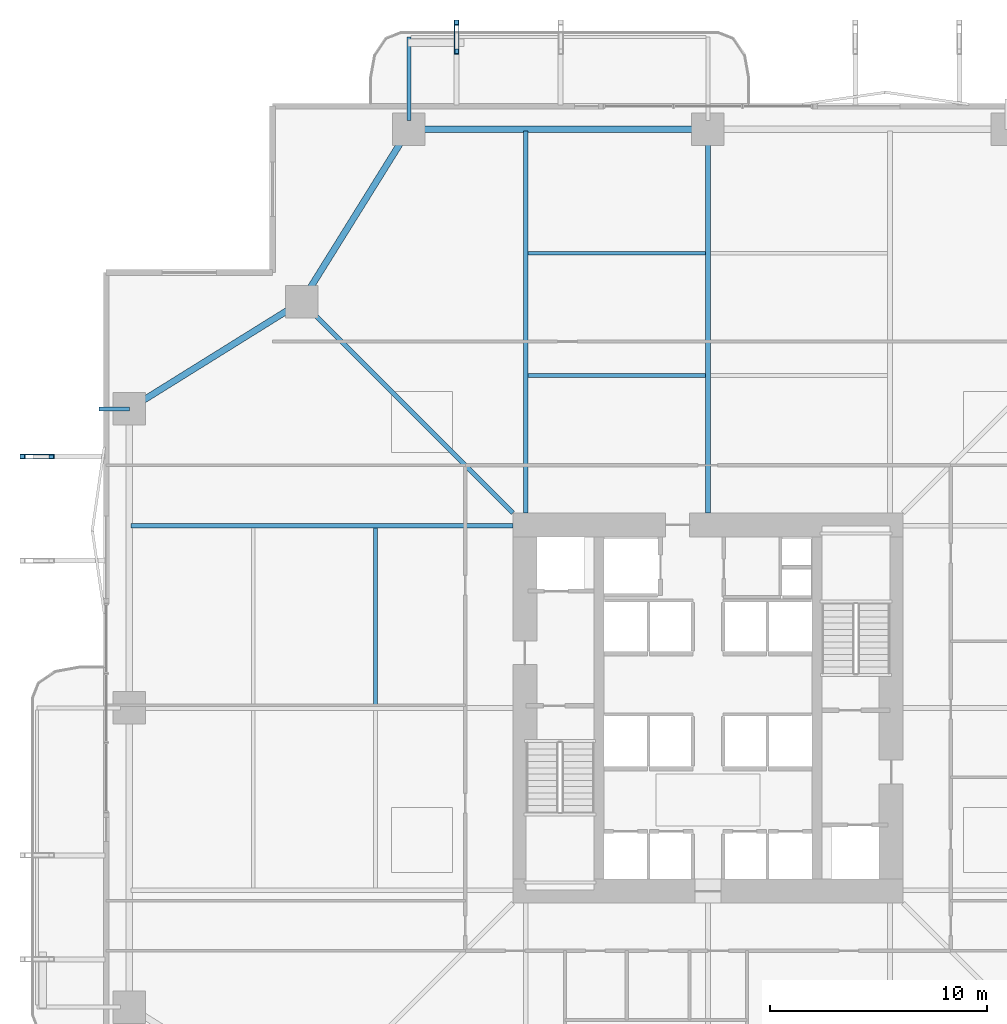
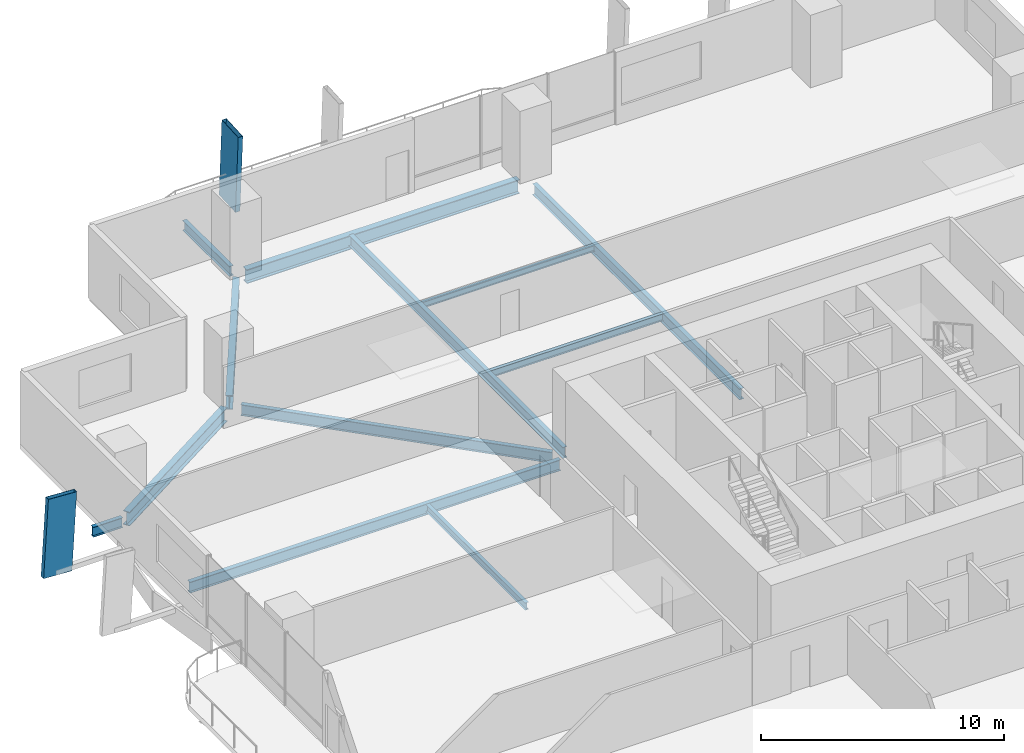
# One storey, part 10 of 24: 12 beams, 2 members.
"""IFC4 building model written with IfcOpenShell, lengths in metres."""

from ifc_helpers import new_model, si_unit, direction, frame, origin, origin_2d, place, context, subcontext, project, spatial, hollow_rectangle, i_section, extrude, material, material_profile, profile_set, type_object, element, save


model = new_model("IFC4")

# Units and contexts
model_context = context("Model", 3, precision=1e-05, world=origin(), true_north=direction((0.0, 1.0)))
body_context = subcontext(model_context, "Body", "Model", "MODEL_VIEW")
ifc_project = project(units=[si_unit("LENGTHUNIT", "METRE"), si_unit("AREAUNIT", "SQUARE_METRE"), si_unit("VOLUMEUNIT", "CUBIC_METRE"), si_unit("PLANEANGLEUNIT", "RADIAN"), si_unit("MASSUNIT", "GRAM", prefix="KILO")], contexts=[model_context])

# Site, building, storey
site_placement = place(None, origin())
site = spatial("IfcSite", under=ifc_project, at=site_placement, CompositionType="ELEMENT")
building_placement = place(site_placement, origin())
building = spatial("IfcBuilding", under=site, at=building_placement, Name="Belovzor Exchange Tower", CompositionType="ELEMENT")
storey_placement = place(building_placement, frame((0.0, 0.0, 37.800048828125)))
storey = spatial("IfcBuildingStorey", under=building, at=storey_placement, Name="L08", CompositionType="ELEMENT", Elevation=37.800048828125)

# Members
ifc_material_1 = material(Name="Extruded Architectural Terracotta on Steel S355 Carrier", Category="masonry")
ifc_material_profile_1 = material_profile(ifc_material_1, hollow_rectangle(XDim=0.219970703125, YDim=1.35009765625, WallThickness=0.013916015625, at=origin_2d()))
ifc_profile_set_1 = profile_set([ifc_material_profile_1], Name="Extruded Architectural Terracotta on Steel S355 Carrier")
member_type = type_object("IfcMemberType", Name="Base Arc Sweeping Terracotta Pylon Fin 1450", PredefinedType="USERDEFINED", material=ifc_profile_set_1)
for number, where, z_axis, x_axis, name in (
    (1, (17.199951171875, 59.873046875, -0.25), (0.0, -0.058121188646, 0.998309534879), (1.0, 0.0, 0.0), "FIN-TC145 Terracotta Facade Fin L08 N1"),
    (2, (-2.27294921875, 40.39990234375, -0.25), (0.058121188646, 0.0, 0.998309534879), (0.0, 1.0, 0.0), "FIN-TC145 Terracotta Facade Fin L08 W4"),
):
    element("IfcMember", number, at=place(storey_placement, frame(where, z_axis=z_axis, x_axis=x_axis)), inside=storey, type_object=member_type, Name=name, ObjectType="FIN", PredefinedType="USERDEFINED", context=body_context, shape_type="SweptSolid", body=[
        extrude(hollow_rectangle(XDim=0.219970703125, YDim=1.35009765625, WallThickness=0.013916015625, at=origin_2d()), origin(), (0.0, 0.0, 1.0), 3.906494140625),
    ])

# Beams
ifc_material_2 = material(Name="Steel S355", Category="steel")
ifc_material_profile_2 = material_profile(ifc_material_2, i_section(OverallWidth=0.199951171875, OverallDepth=0.5, WebThickness=0.01025390625, FlangeThickness=0.01611328125, at=origin_2d()))
ifc_profile_set_2 = profile_set([ifc_material_profile_2], Name="Steel S355")
beam_type_1 = type_object("IfcBeamType", Name="Planted Balcony Cantilever Beam IPE 500", PredefinedType="BEAM", material=ifc_profile_set_2)
beam_1_placement = place(storey_placement, frame((15.0, 55.9130859375, -0.5), z_axis=(0.0, 1.0, 0.0), x_axis=(-1.0, 0.0, 0.0)))
element("IfcBeam", 3, at=beam_1_placement, inside=storey, type_object=beam_type_1, Name="BC-500 Planted Balcony Cantilever Beam IPE 500", PredefinedType="BEAM", context=body_context, shape_type="SweptSolid", body=[
    extrude(i_section(OverallWidth=0.199951171875, OverallDepth=0.5, WebThickness=0.01025390625, FlangeThickness=0.01611328125, at=origin_2d()), origin(), (0.0, 0.0, 1.0), 3.849853515625),
])
beam_2_placement = place(storey_placement, frame((2.10009765625, 42.60009765625, -0.5), z_axis=(-1.0, 0.0, 0.0), x_axis=(0.0, -1.0, 0.0)))
element("IfcBeam", 4, at=beam_2_placement, inside=storey, type_object=beam_type_1, Name="BC-500 Planted Balcony Cantilever Beam IPE 500", PredefinedType="BEAM", context=body_context, shape_type="SweptSolid", body=[
    extrude(i_section(OverallWidth=0.199951171875, OverallDepth=0.5, WebThickness=0.01025390625, FlangeThickness=0.01611328125, at=origin_2d()), origin(), (0.0, 0.0, 1.0), 1.400146484375),
])
ifc_material_3 = material(Name="Steel S355", Category="steel")
ifc_material_profile_3 = material_profile(ifc_material_3, i_section(OverallWidth=0.169921875, OverallDepth=0.360107421875, WebThickness=0.008056640625, FlangeThickness=0.0126953125, at=origin_2d()))
ifc_profile_set_3 = profile_set([ifc_material_profile_3], Name="Steel S355")
beam_type_2 = type_object("IfcBeamType", Name="Secondary Infill Floor Joist IPE 360", PredefinedType="BEAM", material=ifc_profile_set_3)
beam_3_placement = place(storey_placement, frame((20.5048828125, 44.14501953125, -0.429931640625), z_axis=(1.0, 0.0, 0.0), x_axis=(0.0, 1.0, 0.0)))
element("IfcBeam", 5, at=beam_3_placement, inside=storey, type_object=beam_type_2, Name="FJ-360 Secondary Infill Floor Joist IPE 360", PredefinedType="BEAM", context=body_context, shape_type="SweptSolid", body=[
    extrude(i_section(OverallWidth=0.169921875, OverallDepth=0.360107421875, WebThickness=0.008056640625, FlangeThickness=0.0126953125, at=origin_2d()), origin(), (0.0, 0.0, 1.0), 8.190185546875),
])
beam_4_placement = place(storey_placement, frame((13.455078125, 28.905029296875, -0.429931640625), z_axis=(0.0, 1.0, 0.0), x_axis=(-1.0, 0.0, 0.0)))
element("IfcBeam", 6, at=beam_4_placement, inside=storey, type_object=beam_type_2, Name="FJ-360 Secondary Infill Floor Joist IPE 360", PredefinedType="BEAM", context=body_context, shape_type="SweptSolid", body=[
    extrude(i_section(OverallWidth=0.169921875, OverallDepth=0.360107421875, WebThickness=0.008056640625, FlangeThickness=0.0126953125, at=origin_2d()), origin(), (0.0, 0.0, 1.0), 8.18994140625),
])
ifc_material_4 = material(Name="Steel S355", Category="steel")
ifc_material_profile_4 = material_profile(ifc_material_4, i_section(OverallWidth=0.14990234375, OverallDepth=0.300048828125, WebThickness=0.007080078125, FlangeThickness=0.0107421875, at=origin_2d()))
ifc_profile_set_4 = profile_set([ifc_material_profile_4], Name="Steel S355")
beam_type_3 = type_object("IfcBeamType", Name="Secondary Trim Floor Joist IPE 300", PredefinedType="BEAM", material=ifc_profile_set_4)
beam_5_placement = place(storey_placement, frame((20.5048828125, 49.784912109375, -0.400146484375), z_axis=(1.0, 0.0, 0.0), x_axis=(0.0, 1.0, 0.0)))
element("IfcBeam", 7, at=beam_5_placement, inside=storey, type_object=beam_type_3, Name="FJ-300 Secondary Trim Floor Joist IPE 300", PredefinedType="BEAM", context=body_context, shape_type="SweptSolid", body=[
    extrude(i_section(OverallWidth=0.14990234375, OverallDepth=0.300048828125, WebThickness=0.007080078125, FlangeThickness=0.0107421875, at=origin_2d()), origin(), (0.0, 0.0, 1.0), 8.190185546875),
])
ifc_material_5 = material(Name="Steel S355", Category="steel")
ifc_material_profile_5 = material_profile(ifc_material_5, i_section(OverallWidth=0.300048828125, OverallDepth=0.699951171875, WebThickness=0.01708984375, FlangeThickness=0.031982421875, at=origin_2d()))
ifc_profile_set_5 = profile_set([ifc_material_profile_5], Name="Steel S355")
beam_type_4 = type_object("IfcBeamType", Name="Zone 1 Primary Perimeter Girder HEB 700", PredefinedType="BEAM", material=ifc_profile_set_5)
beam_6_placement = place(storey_placement, frame((28.386962890625, 55.5, -0.60009765625), z_axis=(-1.0, 0.0, 0.0), x_axis=(0.0, -1.0, 0.0)))
element("IfcBeam", 8, at=beam_6_placement, inside=storey, type_object=beam_type_4, Name="FG-Z1 Zone 1 Primary Perimeter Girder HEB 700", PredefinedType="BEAM", context=body_context, shape_type="SweptSolid", body=[
    extrude(i_section(OverallWidth=0.300048828125, OverallDepth=0.699951171875, WebThickness=0.01708984375, FlangeThickness=0.031982421875, at=origin_2d()), origin(), (0.0, 0.0, 1.0), 12.974853515625),
])
for number, where, z_axis, x_axis, name in (
    (9, (14.781982421875, 55.14990234375, -0.60009765625), (-0.528538629686, -0.848909251292, 0.0), (0.848909251292, -0.528538629686, 0.0), "FG-Z1 Zone 1 Primary Perimeter Girder HEB 700"),
    (10, (9.699951171875, 47.33203125, -0.60009765625), (-0.848909251292, -0.528538629686, 0.0), (0.528538629686, -0.848909251292, 0.0), "FG-Z1 Zone 1 Primary Perimeter Girder HEB 700"),
):
    element("IfcBeam", number, at=place(storey_placement, frame(where, z_axis=z_axis, x_axis=x_axis)), inside=storey, type_object=beam_type_4, Name=name, PredefinedType="BEAM", context=body_context, shape_type="SweptSolid", body=[
        extrude(i_section(OverallWidth=0.300048828125, OverallDepth=0.699951171875, WebThickness=0.01708984375, FlangeThickness=0.031982421875, at=origin_2d()), origin(), (0.0, 0.0, 1.0), 8.540283203125),
    ])
ifc_material_6 = material(Name="Steel S355", Category="steel")
ifc_material_profile_6 = material_profile(ifc_material_6, i_section(OverallWidth=0.2099609375, OverallDepth=0.550048828125, WebThickness=0.010986328125, FlangeThickness=0.01708984375, at=origin_2d()))
ifc_profile_set_6 = profile_set([ifc_material_profile_6], Name="Steel S355")
beam_type_5 = type_object("IfcBeamType", Name="Zone 1 Radial Composite Floor Beam IPE 550", PredefinedType="BEAM", material=ifc_profile_set_6)
beam_7_placement = place(storey_placement, frame((20.39990234375, 37.800048828125, -0.525146484375), z_axis=(0.0, 1.0, 0.0), x_axis=(-1.0, 0.0, 0.0)))
element("IfcBeam", 11, at=beam_7_placement, inside=storey, type_object=beam_type_5, Name="FB-550 Zone 1 Radial Composite Floor Beam IPE 550", PredefinedType="BEAM", context=body_context, shape_type="SweptSolid", body=[
    extrude(i_section(OverallWidth=0.2099609375, OverallDepth=0.550048828125, WebThickness=0.010986328125, FlangeThickness=0.01708984375, at=origin_2d()), origin(), (0.0, 0.0, 1.0), 17.625),
])
beam_8_placement = place(storey_placement, frame((28.800048828125, 37.800048828125, -0.525146484375), z_axis=(0.0, 1.0, 0.0), x_axis=(-1.0, 0.0, 0.0)))
element("IfcBeam", 12, at=beam_8_placement, inside=storey, type_object=beam_type_5, Name="FB-550 Zone 1 Radial Composite Floor Beam IPE 550", PredefinedType="BEAM", context=body_context, shape_type="SweptSolid", body=[
    extrude(i_section(OverallWidth=0.2099609375, OverallDepth=0.550048828125, WebThickness=0.010986328125, FlangeThickness=0.01708984375, at=origin_2d()), origin(), (0.0, 0.0, 1.0), 17.0400390625),
])
beam_9_placement = place(storey_placement, frame((19.800048828125, 37.199951171875, -0.525146484375), z_axis=(-1.0, 0.0, 0.0), x_axis=(0.0, -1.0, 0.0)))
element("IfcBeam", 13, at=beam_9_placement, inside=storey, type_object=beam_type_5, Name="FB-550 Zone 1 Radial Composite Floor Beam IPE 550", PredefinedType="BEAM", context=body_context, shape_type="SweptSolid", body=[
    extrude(i_section(OverallWidth=0.2099609375, OverallDepth=0.550048828125, WebThickness=0.010986328125, FlangeThickness=0.01708984375, at=origin_2d()), origin(), (0.0, 0.0, 1.0), 17.625),
])
beam_10_placement = place(storey_placement, frame((19.800048828125, 37.800048828125, -0.525146484375), z_axis=(-0.707106781187, 0.707106781187, 0.0), x_axis=(-0.707106781187, -0.707106781187, 0.0)))
element("IfcBeam", 14, at=beam_10_placement, inside=storey, type_object=beam_type_5, Name="FB-550 Zone 1 Radial Composite Floor Beam IPE 550", PredefinedType="BEAM", context=body_context, shape_type="SweptSolid", body=[
    extrude(i_section(OverallWidth=0.2099609375, OverallDepth=0.550048828125, WebThickness=0.010986328125, FlangeThickness=0.01708984375, at=origin_2d()), origin(), (0.0, 0.0, 1.0), 13.25830078125),
])

save(model, "model.ifc")
